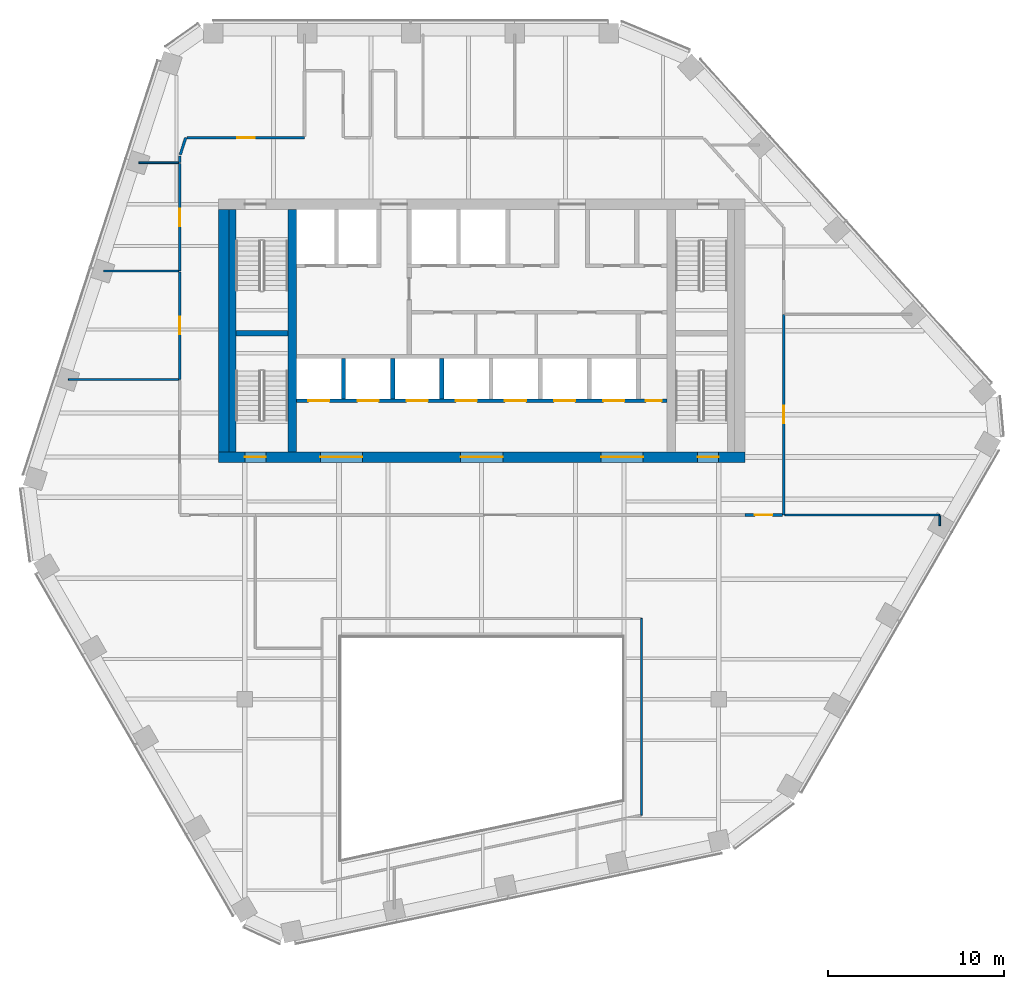
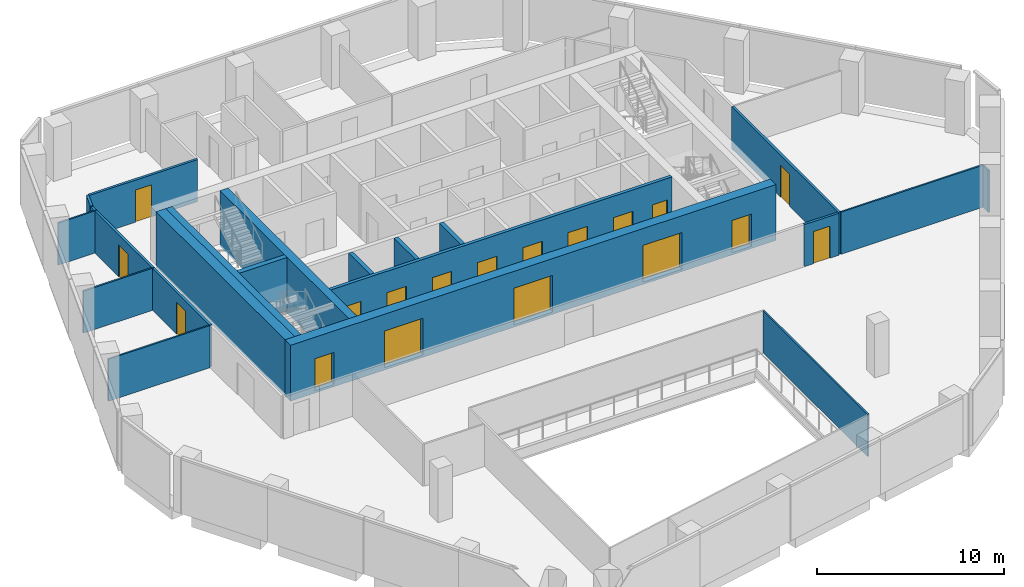
# One storey, part 9 of 15: 22 walls, 18 doors, 18 openings.
"""IFC4 building model written with IfcOpenShell, lengths in metres."""

from ifc_helpers import new_model, si_unit, direction, frame, frame_2d, origin, place, context, subcontext, project, spatial, rectangle, extrude, material, layer, layer_set, type_object, element, fill, save


model = new_model("IFC4")

# Units and contexts
model_context = context("Model", 3, precision=1e-05, world=origin(), true_north=direction((0.0, 1.0)))
body_context = subcontext(model_context, "Body", "Model", "MODEL_VIEW")
ifc_project = project(units=[si_unit("LENGTHUNIT", "METRE"), si_unit("AREAUNIT", "SQUARE_METRE"), si_unit("VOLUMEUNIT", "CUBIC_METRE"), si_unit("PLANEANGLEUNIT", "RADIAN"), si_unit("MASSUNIT", "GRAM", prefix="KILO")], contexts=[model_context])

# Site, building, storey
site_placement = place(None, origin())
site = spatial("IfcSite", under=ifc_project, at=site_placement, CompositionType="ELEMENT")
building_placement = place(site_placement, origin())
building = spatial("IfcBuilding", under=site, at=building_placement, Name="Isthmus Gate Tower", CompositionType="ELEMENT")
storey_placement = place(building_placement, frame((0.0, 0.0, 230.89990234375)))
storey = spatial("IfcBuildingStorey", under=building, at=storey_placement, Name="L58", CompositionType="ELEMENT", Elevation=230.89990234375)

# Wall
ifc_material_1 = material(Name="Fire-rated laminated glass in steel frame", Category="steel")
ifc_layer_1 = layer(ifc_material_1, 0.10009765625)
ifc_layer_set_1 = layer_set([ifc_layer_1], Name="ATRIUM SCREEN GLAZED WALL 100 120 MIN")
wall_type_1 = type_object("IfcWallType", Name="ATRIUM SCREEN GLAZED WALL 100 120 MIN", PredefinedType="PARTITIONING", material=ifc_layer_set_1)
wall_1_placement = place(storey_placement, frame((9.10009765625, -8.89990234375, 0.0), z_axis=(0.0, 0.0, 1.0), x_axis=(0.0, -1.0, 0.0)))
element("IfcWall", 1, at=wall_1_placement, inside=storey, type_object=wall_type_1, Name="L58 atrium screen", PredefinedType="PARTITIONING", context=body_context, shape_type="SweptSolid", body=[
    extrude(rectangle(XDim=11.200927734375, YDim=0.10009765625, at=frame_2d((5.6005859375, 0.0))), origin(), (0.0, 0.0, 1.0), 2.750732421875),
])

# Wall, opening, door
ifc_material_2 = material(Name="Gypsum board on steel studs, fire-rated", Category="steel")
ifc_layer_2 = layer(ifc_material_2, 0.14990234375)
ifc_layer_set_2 = layer_set([ifc_layer_2], Name="CORRIDOR WALL 150 60 MIN")
wall_type_2 = type_object("IfcWallType", Name="CORRIDOR WALL 150 60 MIN", PredefinedType="PARTITIONING", material=ifc_layer_set_2)
wall_2_placement = place(storey_placement, frame((17.199951171875, 8.427978515625, 0.0), z_axis=(0.0, 0.0, 1.0), x_axis=(0.0, -1.0, 0.0)))
wall_2 = element("IfcWall", 2, at=wall_2_placement, inside=storey, type_object=wall_type_2, Name="L58 Corridor Wall 150 60 Min", PredefinedType="PARTITIONING", context=body_context, shape_type="SweptSolid", body=[
    extrude(rectangle(XDim=11.427978515625, YDim=0.14990234375, at=frame_2d((5.7138671875, 0.0))), origin(), (0.0, 0.0, 1.0), 2.750732421875),
])
opening_1_placement = place(wall_2_placement, frame((5.214111328125, 0.0, 0.0)))
opening_1 = element("IfcOpeningElement", 3, at=opening_1_placement, cuts=wall_2, Name="Opening DT-T5B-08", PredefinedType="OPENING", context=body_context, shape_type="SweptSolid", body=[
    extrude(rectangle(XDim=1.0, YDim=2.10009765625, at=frame_2d((0.5, 1.050048828125))), frame((0.0, 0.0849609375, 0.0), z_axis=(0.0, -1.0, 0.0), x_axis=(1.0, 0.0, 0.0)), (0.0, 0.0, 1.0), 0.169921875),
])
ifc_material_3 = material(Name="Solid core timber door leaf, fire-rated", Category="wood")
door_type_1 = type_object("IfcDoorType", Name="FIRE DOOR ROOM 1000 X 2100 60 MIN", OperationType="SINGLE_SWING_LEFT", PredefinedType="DOOR", material=ifc_material_3)
door_1_placement = place(opening_1_placement, origin())
door_1 = element("IfcDoor", 4, at=door_1_placement, inside=storey, type_object=door_type_1, Name="L58 room door", OperationType="SINGLE_SWING_RIGHT", OverallHeight=2.10009765625, OverallWidth=1.0, PredefinedType="DOOR", context=body_context, shape_type="SweptSolid", body=[
    extrude(rectangle(XDim=1.0, YDim=2.10009765625, at=frame_2d((0.5, 1.050048828125))), frame((0.0, 0.02490234375, 0.0), z_axis=(0.0, -1.0, 0.0), x_axis=(1.0, 0.0, 0.0)), (0.0, 0.0, 1.0), 0.050048828125),
])
fill(opening_1, door_1)

wall_3_placement = place(storey_placement, frame((17.125, -3.0, 0.0), z_axis=(0.0, 0.0, 1.0), x_axis=(-1.0, 0.0, 0.0)))
wall_3 = element("IfcWall", 5, at=wall_3_placement, inside=storey, type_object=wall_type_2, Name="L58 Corridor Wall 150 60 Min", PredefinedType="PARTITIONING", context=body_context, shape_type="SweptSolid", body=[
    extrude(rectangle(XDim=2.125, YDim=0.14990234375, at=frame_2d((1.0625, 0.0))), origin(), (0.0, 0.0, 1.0), 2.750732421875),
])
opening_2_placement = place(wall_3_placement, frame((0.5625, 0.0, 0.0)))
opening_2 = element("IfcOpeningElement", 6, at=opening_2_placement, cuts=wall_3, Name="Opening DT-T5B-12", PredefinedType="OPENING", context=body_context, shape_type="SweptSolid", body=[
    extrude(rectangle(XDim=1.0, YDim=2.10009765625, at=frame_2d((0.5, 1.050048828125))), frame((0.0, 0.0849609375, 0.0), z_axis=(0.0, -1.0, 0.0), x_axis=(1.0, 0.0, 0.0)), (0.0, 0.0, 1.0), 0.169921875),
])
door_2_placement = place(opening_2_placement, origin())
door_2 = element("IfcDoor", 7, at=door_2_placement, inside=storey, type_object=door_type_1, Name="L58 room door", OperationType="SINGLE_SWING_RIGHT", OverallHeight=2.10009765625, OverallWidth=1.0, PredefinedType="DOOR", context=body_context, shape_type="SweptSolid", body=[
    extrude(rectangle(XDim=1.0, YDim=2.10009765625, at=frame_2d((0.5, 1.050048828125))), frame((0.0, 0.02490234375, 0.0), z_axis=(0.0, -1.0, 0.0), x_axis=(1.0, 0.0, 0.0)), (0.0, 0.0, 1.0), 0.050048828125),
])
fill(opening_2, door_2)

# Walls
wall_4_placement = place(storey_placement, frame((-17.199951171875, 17.071044921875, 0.0), z_axis=(0.0, 0.0, 1.0), x_axis=(0.0, 1.0, 0.0)))
element("IfcWall", 8, at=wall_4_placement, inside=storey, type_object=wall_type_2, Name="L58 Corridor Wall 150 60 Min", PredefinedType="PARTITIONING", context=body_context, shape_type="SweptSolid", body=[
    extrude(rectangle(XDim=0.388916015625, YDim=0.14990234375, at=frame_2d((0.1943359375, 0.0))), origin(), (0.0, 0.0, 1.0), 2.750732421875),
])
wall_5_placement = place(storey_placement, frame((-17.1767578125, 17.53125, 0.0), z_axis=(0.0, 0.0, 1.0), x_axis=(0.30895599646, 0.951076333556, 0.0)))
element("IfcWall", 9, at=wall_5_placement, inside=storey, type_object=wall_type_2, Name="L58 Corridor Wall 150 60 Min", PredefinedType="PARTITIONING", context=body_context, shape_type="SweptSolid", body=[
    extrude(rectangle(XDim=1.0185546875, YDim=0.14990234375, at=frame_2d((0.50927734375, 0.0))), origin(), (0.0, 0.0, 1.0), 2.750732421875),
])

# Wall, opening, door
wall_6_placement = place(storey_placement, frame((-16.787109375, 18.5, 0.0), z_axis=(0.0, 0.0, 1.0), x_axis=(1.0, 0.0, 0.0)))
wall_6 = element("IfcWall", 10, at=wall_6_placement, inside=storey, type_object=wall_type_2, Name="L58 Corridor Wall 150 60 Min", PredefinedType="PARTITIONING", context=body_context, shape_type="SweptSolid", body=[
    extrude(rectangle(XDim=6.68701171875, YDim=0.14990234375, at=frame_2d((3.343505859375, 0.0))), origin(), (0.0, 0.0, 1.0), 2.750732421875),
])
opening_3_placement = place(wall_6_placement, frame((2.843505859375, 0.0, 0.0)))
opening_3 = element("IfcOpeningElement", 11, at=opening_3_placement, cuts=wall_6, Name="Opening DT-T5B-01", PredefinedType="OPENING", context=body_context, shape_type="SweptSolid", body=[
    extrude(rectangle(XDim=1.0, YDim=2.10009765625, at=frame_2d((0.5, 1.050048828125))), frame((0.0, 0.0849609375, 0.0), z_axis=(0.0, -1.0, 0.0), x_axis=(1.0, 0.0, 0.0)), (0.0, 0.0, 1.0), 0.169921875),
])
door_3_placement = place(opening_3_placement, origin())
door_3 = element("IfcDoor", 12, at=door_3_placement, inside=storey, type_object=door_type_1, Name="L58 room door", OperationType="SINGLE_SWING_RIGHT", OverallHeight=2.10009765625, OverallWidth=1.0, PredefinedType="DOOR", context=body_context, shape_type="SweptSolid", body=[
    extrude(rectangle(XDim=1.0, YDim=2.10009765625, at=frame_2d((0.5, 1.050048828125))), frame((0.0, 0.02490234375, 0.0), z_axis=(0.0, -1.0, 0.0), x_axis=(1.0, 0.0, 0.0)), (0.0, 0.0, 1.0), 0.050048828125),
])
fill(opening_3, door_3)

wall_7_placement = place(storey_placement, frame((-17.199951171875, 10.89697265625, 0.0), z_axis=(0.0, 0.0, 1.0), x_axis=(0.0, 1.0, 0.0)))
wall_7 = element("IfcWall", 13, at=wall_7_placement, inside=storey, type_object=wall_type_2, Name="L58 Corridor Wall 150 60 Min", PredefinedType="PARTITIONING", context=body_context, shape_type="SweptSolid", body=[
    extrude(rectangle(XDim=6.1240234375, YDim=0.14990234375, at=frame_2d((3.06201171875, 0.0))), origin(), (0.0, 0.0, 1.0), 2.750732421875),
])
opening_4_placement = place(wall_7_placement, frame((2.56201171875, 0.0, 0.0)))
opening_4 = element("IfcOpeningElement", 14, at=opening_4_placement, cuts=wall_7, Name="Opening DT-T5B-05", PredefinedType="OPENING", context=body_context, shape_type="SweptSolid", body=[
    extrude(rectangle(XDim=1.0, YDim=2.10009765625, at=frame_2d((0.5, 1.050048828125))), frame((0.0, 0.0849609375, 0.0), z_axis=(0.0, -1.0, 0.0), x_axis=(1.0, 0.0, 0.0)), (0.0, 0.0, 1.0), 0.169921875),
])
door_4_placement = place(opening_4_placement, origin())
door_4 = element("IfcDoor", 15, at=door_4_placement, inside=storey, type_object=door_type_1, Name="L58 room door", OperationType="SINGLE_SWING_RIGHT", OverallHeight=2.10009765625, OverallWidth=1.0, PredefinedType="DOOR", context=body_context, shape_type="SweptSolid", body=[
    extrude(rectangle(XDim=1.0, YDim=2.10009765625, at=frame_2d((0.5, 1.050048828125))), frame((0.0, 0.02490234375, 0.0), z_axis=(0.0, -1.0, 0.0), x_axis=(1.0, 0.0, 0.0)), (0.0, 0.0, 1.0), 0.050048828125),
])
fill(opening_4, door_4)

wall_8_placement = place(storey_placement, frame((-17.199951171875, 4.722900390625, 0.0), z_axis=(0.0, 0.0, 1.0), x_axis=(0.0, 1.0, 0.0)))
wall_8 = element("IfcWall", 16, at=wall_8_placement, inside=storey, type_object=wall_type_2, Name="L58 Corridor Wall 150 60 Min", PredefinedType="PARTITIONING", context=body_context, shape_type="SweptSolid", body=[
    extrude(rectangle(XDim=6.1240234375, YDim=0.14990234375, at=frame_2d((3.06201171875, 0.0))), origin(), (0.0, 0.0, 1.0), 2.750732421875),
])
opening_5_placement = place(wall_8_placement, frame((2.56201171875, 0.0, 0.0)))
opening_5 = element("IfcOpeningElement", 17, at=opening_5_placement, cuts=wall_8, Name="Opening DT-T5B-07", PredefinedType="OPENING", context=body_context, shape_type="SweptSolid", body=[
    extrude(rectangle(XDim=1.0, YDim=2.10009765625, at=frame_2d((0.5, 1.050048828125))), frame((0.0, 0.0849609375, 0.0), z_axis=(0.0, -1.0, 0.0), x_axis=(1.0, 0.0, 0.0)), (0.0, 0.0, 1.0), 0.169921875),
])
door_5_placement = place(opening_5_placement, origin())
door_5 = element("IfcDoor", 18, at=door_5_placement, inside=storey, type_object=door_type_1, Name="L58 room door", OperationType="SINGLE_SWING_RIGHT", OverallHeight=2.10009765625, OverallWidth=1.0, PredefinedType="DOOR", context=body_context, shape_type="SweptSolid", body=[
    extrude(rectangle(XDim=1.0, YDim=2.10009765625, at=frame_2d((0.5, 1.050048828125))), frame((0.0, 0.02490234375, 0.0), z_axis=(0.0, -1.0, 0.0), x_axis=(1.0, 0.0, 0.0)), (0.0, 0.0, 1.0), 0.050048828125),
])
fill(opening_5, door_5)

# Wall
ifc_material_4 = material(Name="Concrete f'c 50 MPa", Category="concrete")
ifc_layer_3 = layer(ifc_material_4, 0.5)
ifc_layer_set_3 = layer_set([ifc_layer_3], Name="RC CORE SPINE WALL 500 F'C 50")
wall_type_3 = type_object("IfcWallType", Name="RC CORE SPINE WALL 500 F'C 50", PredefinedType="SOLIDWALL", material=ifc_layer_set_3)
wall_9_placement = place(storey_placement, frame((-10.800048828125, 0.60009765625, -0.14990234375), z_axis=(0.0, 0.0, 1.0), x_axis=(0.0, 1.0, 0.0)))
element("IfcWall", 19, at=wall_9_placement, inside=storey, type_object=wall_type_3, Name="str-corewall-L58-SPW", PredefinedType="SOLIDWALL", context=body_context, shape_type="SweptSolid", body=[
    extrude(rectangle(XDim=13.7998046875, YDim=0.5, at=frame_2d((6.89990234375, 0.0))), origin(), (0.0, 0.0, 1.0), 3.64990234375),
])

# Wall, openings, doors
ifc_material_5 = material(Name="Concrete f'c 50 MPa", Category="concrete")
ifc_layer_4 = layer(ifc_material_5, 0.60009765625)
ifc_layer_set_4 = layer_set([ifc_layer_4], Name="RC CORE WALL 600 F'C 50")
wall_type_4 = type_object("IfcWallType", Name="RC CORE WALL 600 F'C 50", PredefinedType="SOLIDWALL", material=ifc_layer_set_4)
wall_10_placement = place(storey_placement, frame((-15.0, 0.300048828125, -0.14990234375), z_axis=(0.0, 0.0, 1.0), x_axis=(1.0, 0.0, 0.0)))
wall_10 = element("IfcWall", 20, at=wall_10_placement, inside=storey, type_object=wall_type_4, Name="str-corewall-L58-S", PredefinedType="SOLIDWALL", context=body_context, shape_type="SweptSolid", body=[
    extrude(rectangle(XDim=30.0, YDim=0.60009765625, at=frame_2d((15.0, 0.0))), origin(), (0.0, 0.0, 1.0), 3.64990234375),
])
opening_6_placement = place(wall_10_placement, frame((5.800048828125, 0.0, 0.14990234375)))
opening_6 = element("IfcOpeningElement", 21, at=opening_6_placement, cuts=wall_10, Name="Opening DC-A20-10", PredefinedType="OPENING", context=body_context, shape_type="SweptSolid", body=[
    extrude(rectangle(XDim=2.39990234375, YDim=2.39990234375, at=frame_2d((1.199951171875, 1.199951171875))), frame((0.0, 0.31005859375, 0.0), z_axis=(0.0, -1.0, 0.0), x_axis=(1.0, 0.0, 0.0)), (0.0, 0.0, 1.0), 0.6201171875),
])
opening_7_placement = place(wall_10_placement, frame((13.800048828125, 0.0, 0.14990234375)))
opening_7 = element("IfcOpeningElement", 22, at=opening_7_placement, cuts=wall_10, Name="Opening DC-A20-11", PredefinedType="OPENING", context=body_context, shape_type="SweptSolid", body=[
    extrude(rectangle(XDim=2.39990234375, YDim=2.39990234375, at=frame_2d((1.199951171875, 1.199951171875))), frame((0.0, 0.31005859375, 0.0), z_axis=(0.0, -1.0, 0.0), x_axis=(1.0, 0.0, 0.0)), (0.0, 0.0, 1.0), 0.6201171875),
])
opening_8_placement = place(wall_10_placement, frame((21.800048828125, 0.0, 0.14990234375)))
opening_8 = element("IfcOpeningElement", 23, at=opening_8_placement, cuts=wall_10, Name="Opening DC-A20-12", PredefinedType="OPENING", context=body_context, shape_type="SweptSolid", body=[
    extrude(rectangle(XDim=2.39990234375, YDim=2.39990234375, at=frame_2d((1.199951171875, 1.199951171875))), frame((0.0, 0.31005859375, 0.0), z_axis=(0.0, -1.0, 0.0), x_axis=(1.0, 0.0, 0.0)), (0.0, 0.0, 1.0), 0.6201171875),
])
opening_9_placement = place(wall_10_placement, frame((1.5, 0.0, 0.14990234375)))
opening_9 = element("IfcOpeningElement", 24, at=opening_9_placement, cuts=wall_10, Name="Opening DC-A20-17", PredefinedType="OPENING", context=body_context, shape_type="SweptSolid", body=[
    extrude(rectangle(XDim=1.199951171875, YDim=2.10009765625, at=frame_2d((0.60009765625, 1.050048828125))), frame((0.0, 0.31005859375, 0.0), z_axis=(0.0, -1.0, 0.0), x_axis=(1.0, 0.0, 0.0)), (0.0, 0.0, 1.0), 0.6201171875),
])
opening_10_placement = place(wall_10_placement, frame((27.300048828125, 0.0, 0.14990234375)))
opening_10 = element("IfcOpeningElement", 25, at=opening_10_placement, cuts=wall_10, Name="Opening DC-A20-18", PredefinedType="OPENING", context=body_context, shape_type="SweptSolid", body=[
    extrude(rectangle(XDim=1.199951171875, YDim=2.10009765625, at=frame_2d((0.60009765625, 1.050048828125))), frame((0.0, 0.31005859375, 0.0), z_axis=(0.0, -1.0, 0.0), x_axis=(1.0, 0.0, 0.0)), (0.0, 0.0, 1.0), 0.6201171875),
])
ifc_material_6 = material(Name="Laminated safety glass in steel frame, fire-rated", Category="steel")
door_type_2 = type_object("IfcDoorType", Name="LOBBY ENTRANCE FIRE DOOR 2400 X 2400 60 MIN", OperationType="DOUBLE_DOOR_DOUBLE_SWING", PredefinedType="DOOR", material=ifc_material_6)
door_6_placement = place(opening_6_placement, origin())
door_6 = element("IfcDoor", 26, at=door_6_placement, inside=storey, type_object=door_type_2, Name="Lobby Entrance PS-W", OperationType="DOUBLE_DOOR_DOUBLE_SWING", OverallHeight=2.39990234375, OverallWidth=2.39990234375, PredefinedType="DOOR", context=body_context, shape_type="SweptSolid", body=[
    extrude(rectangle(XDim=2.39990234375, YDim=2.39990234375, at=frame_2d((1.199951171875, 1.199951171875))), frame((0.0, 0.02490234375, 0.0), z_axis=(0.0, -1.0, 0.0), x_axis=(1.0, 0.0, 0.0)), (0.0, 0.0, 1.0), 0.050048828125),
])
fill(opening_6, door_6)
door_7_placement = place(opening_7_placement, origin())
door_7 = element("IfcDoor", 27, at=door_7_placement, inside=storey, type_object=door_type_2, Name="Lobby Entrance PS-C", OperationType="DOUBLE_DOOR_DOUBLE_SWING", OverallHeight=2.39990234375, OverallWidth=2.39990234375, PredefinedType="DOOR", context=body_context, shape_type="SweptSolid", body=[
    extrude(rectangle(XDim=2.39990234375, YDim=2.39990234375, at=frame_2d((1.199951171875, 1.199951171875))), frame((0.0, 0.02490234375, 0.0), z_axis=(0.0, -1.0, 0.0), x_axis=(1.0, 0.0, 0.0)), (0.0, 0.0, 1.0), 0.050048828125),
])
fill(opening_7, door_7)
door_8_placement = place(opening_8_placement, origin())
door_8 = element("IfcDoor", 28, at=door_8_placement, inside=storey, type_object=door_type_2, Name="Lobby Entrance PS-E", OperationType="DOUBLE_DOOR_DOUBLE_SWING", OverallHeight=2.39990234375, OverallWidth=2.39990234375, PredefinedType="DOOR", context=body_context, shape_type="SweptSolid", body=[
    extrude(rectangle(XDim=2.39990234375, YDim=2.39990234375, at=frame_2d((1.199951171875, 1.199951171875))), frame((0.0, 0.02490234375, 0.0), z_axis=(0.0, -1.0, 0.0), x_axis=(1.0, 0.0, 0.0)), (0.0, 0.0, 1.0), 0.050048828125),
])
fill(opening_8, door_8)
ifc_material_7 = material(Name="Steel door leaf, fire-rated", Category="steel")
door_type_3 = type_object("IfcDoorType", Name="STAIR FIRE DOOR 1200 X 2100 90 MIN", OperationType="SINGLE_SWING_LEFT", PredefinedType="DOOR", material=ifc_material_7)
door_9_placement = place(opening_9_placement, origin())
door_9 = element("IfcDoor", 29, at=door_9_placement, inside=storey, type_object=door_type_3, Name="Exit Stair 7 Door", OperationType="SINGLE_SWING_LEFT", OverallHeight=2.10009765625, OverallWidth=1.199951171875, PredefinedType="DOOR", context=body_context, shape_type="SweptSolid", body=[
    extrude(rectangle(XDim=1.199951171875, YDim=2.10009765625, at=frame_2d((0.60009765625, 1.050048828125))), frame((0.0, 0.02490234375, 0.0), z_axis=(0.0, -1.0, 0.0), x_axis=(1.0, 0.0, 0.0)), (0.0, 0.0, 1.0), 0.050048828125),
])
fill(opening_9, door_9)
door_10_placement = place(opening_10_placement, origin())
door_10 = element("IfcDoor", 30, at=door_10_placement, inside=storey, type_object=door_type_3, Name="Exit Stair 8 Door", OperationType="SINGLE_SWING_RIGHT", OverallHeight=2.10009765625, OverallWidth=1.199951171875, PredefinedType="DOOR", context=body_context, shape_type="SweptSolid", body=[
    extrude(rectangle(XDim=1.199951171875, YDim=2.10009765625, at=frame_2d((0.60009765625, 1.050048828125))), frame((0.0, 0.02490234375, 0.0), z_axis=(0.0, -1.0, 0.0), x_axis=(1.0, 0.0, 0.0)), (0.0, 0.0, 1.0), 0.050048828125),
])
fill(opening_10, door_10)

# Walls
wall_11_placement = place(storey_placement, frame((-14.699951171875, 0.60009765625, -0.14990234375), z_axis=(0.0, 0.0, 1.0), x_axis=(0.0, 1.0, 0.0)))
element("IfcWall", 31, at=wall_11_placement, inside=storey, type_object=wall_type_4, Name="str-corewall-L58-W", PredefinedType="SOLIDWALL", context=body_context, shape_type="SweptSolid", body=[
    extrude(rectangle(XDim=13.7998046875, YDim=0.60009765625, at=frame_2d((6.89990234375, 0.0))), origin(), (0.0, 0.0, 1.0), 3.64990234375),
])
ifc_material_8 = material(Name="Gypsum board on steel studs, fire-rated", Category="steel")
ifc_layer_5 = layer(ifc_material_8, 0.10009765625)
ifc_layer_set_5 = layer_set([ifc_layer_5], Name="ROOM PARTITION 100 30 MIN")
wall_type_5 = type_object("IfcWallType", Name="ROOM PARTITION 100 30 MIN", PredefinedType="PARTITIONING", material=ifc_layer_set_5)
wall_12_placement = place(storey_placement, frame((-19.534912109375, 17.071044921875, 0.0), z_axis=(0.0, 0.0, 1.0), x_axis=(1.0, 0.0, 0.0)))
element("IfcWall", 32, at=wall_12_placement, inside=storey, type_object=wall_type_5, Name="L58 Room Partition 100 30 Min", PredefinedType="PARTITIONING", context=body_context, shape_type="SweptSolid", body=[
    extrude(rectangle(XDim=2.260009765625, YDim=0.10009765625, at=frame_2d((1.1298828125, 0.0))), origin(), (0.0, 0.0, 1.0), 2.750732421875),
])
wall_13_placement = place(storey_placement, frame((-21.541015625, 10.89697265625, 0.0), z_axis=(0.0, 0.0, 1.0), x_axis=(1.0, 0.0, 0.0)))
element("IfcWall", 33, at=wall_13_placement, inside=storey, type_object=wall_type_5, Name="L58 Room Partition 100 30 Min", PredefinedType="PARTITIONING", context=body_context, shape_type="SweptSolid", body=[
    extrude(rectangle(XDim=4.26611328125, YDim=0.10009765625, at=frame_2d((2.133056640625, 0.0))), origin(), (0.0, 0.0, 1.0), 2.750732421875),
])
wall_14_placement = place(storey_placement, frame((-23.547119140625, 4.722900390625, 0.0), z_axis=(0.0, 0.0, 1.0), x_axis=(1.0, 0.0, 0.0)))
element("IfcWall", 34, at=wall_14_placement, inside=storey, type_object=wall_type_5, Name="L58 Room Partition 100 30 Min", PredefinedType="PARTITIONING", context=body_context, shape_type="SweptSolid", body=[
    extrude(rectangle(XDim=6.272216796875, YDim=0.10009765625, at=frame_2d((3.13623046875, 0.0))), origin(), (0.0, 0.0, 1.0), 2.750732421875),
])
wall_15_placement = place(storey_placement, frame((17.27490234375, -3.0, 0.0), z_axis=(0.0, 0.0, 1.0), x_axis=(0.999999975449, 0.000221588228, 0.0)))
element("IfcWall", 35, at=wall_15_placement, inside=storey, type_object=wall_type_5, Name="L58 Room Partition 100 30 Min", PredefinedType="PARTITIONING", context=body_context, shape_type="SweptSolid", body=[
    extrude(rectangle(XDim=8.814208984375, YDim=0.10009765625, at=frame_2d((4.4072265625, 0.0))), origin(), (0.0, 0.0, 1.0), 2.750732421875),
])
wall_16_placement = place(storey_placement, frame((26.089111328125, -3.613037109375, 0.0), z_axis=(0.0, 0.0, 1.0), x_axis=(0.0, 1.0, 0.0)))
element("IfcWall", 36, at=wall_16_placement, inside=storey, type_object=wall_type_5, Name="L58 Room Partition 100 30 Min", PredefinedType="PARTITIONING", context=body_context, shape_type="SweptSolid", body=[
    extrude(rectangle(XDim=0.56494140625, YDim=0.10009765625, at=frame_2d((0.282470703125, 0.0))), origin(), (0.0, 0.0, 1.0), 2.750732421875),
])

# Wall, openings, doors
ifc_material_9 = material(Name="Fire-rated blockwork masonry, 15 MPa", Category="masonry")
ifc_layer_6 = layer(ifc_material_9, 0.199951171875)
ifc_layer_set_6 = layer_set([ifc_layer_6], Name="SHAFT FRONT WALL 200 120 MIN")
wall_type_6 = type_object("IfcWallType", Name="SHAFT FRONT WALL 200 120 MIN", PredefinedType="PARTITIONING", material=ifc_layer_set_6)
wall_17_placement = place(storey_placement, frame((-10.550048828125, 3.5, 0.0), z_axis=(0.0, 0.0, 1.0), x_axis=(1.0, 0.0, 0.0)))
wall_17 = element("IfcWall", 37, at=wall_17_placement, inside=storey, type_object=wall_type_6, Name="L58 SHAFT FRONT WALL 200 120 MIN", PredefinedType="PARTITIONING", context=body_context, shape_type="SweptSolid", body=[
    extrude(rectangle(XDim=21.10009765625, YDim=0.199951171875, at=frame_2d((10.550048828125, 0.0))), origin(), (0.0, 0.0, 1.0), 3.5),
])
opening_11_placement = place(wall_17_placement, frame((0.675048828125, 0.0, 0.0)))
opening_11 = element("IfcOpeningElement", 38, at=opening_11_placement, cuts=wall_17, Name="Opening LD-LC1", PredefinedType="OPENING", context=body_context, shape_type="SweptSolid", body=[
    extrude(rectangle(XDim=1.199951171875, YDim=2.10009765625, at=frame_2d((0.60009765625, 1.050048828125))), frame((0.0, 0.10986328125, 0.0), z_axis=(0.0, -1.0, 0.0), x_axis=(1.0, 0.0, 0.0)), (0.0, 0.0, 1.0), 0.219970703125),
])
opening_12_placement = place(wall_17_placement, frame((3.47509765625, 0.0, 0.0)))
opening_12 = element("IfcOpeningElement", 39, at=opening_12_placement, cuts=wall_17, Name="Opening LD-LC2", PredefinedType="OPENING", context=body_context, shape_type="SweptSolid", body=[
    extrude(rectangle(XDim=1.199951171875, YDim=2.10009765625, at=frame_2d((0.60009765625, 1.050048828125))), frame((0.0, 0.10986328125, 0.0), z_axis=(0.0, -1.0, 0.0), x_axis=(1.0, 0.0, 0.0)), (0.0, 0.0, 1.0), 0.219970703125),
])
opening_13_placement = place(wall_17_placement, frame((6.27490234375, 0.0, 0.0)))
opening_13 = element("IfcOpeningElement", 40, at=opening_13_placement, cuts=wall_17, Name="Opening LD-LC3", PredefinedType="OPENING", context=body_context, shape_type="SweptSolid", body=[
    extrude(rectangle(XDim=1.199951171875, YDim=2.10009765625, at=frame_2d((0.60009765625, 1.050048828125))), frame((0.0, 0.10986328125, 0.0), z_axis=(0.0, -1.0, 0.0), x_axis=(1.0, 0.0, 0.0)), (0.0, 0.0, 1.0), 0.219970703125),
])
opening_14_placement = place(wall_17_placement, frame((9.074951171875, 0.0, 0.0)))
opening_14 = element("IfcOpeningElement", 41, at=opening_14_placement, cuts=wall_17, Name="Opening LD-LC4", PredefinedType="OPENING", context=body_context, shape_type="SweptSolid", body=[
    extrude(rectangle(XDim=1.199951171875, YDim=2.10009765625, at=frame_2d((0.60009765625, 1.050048828125))), frame((0.0, 0.10986328125, 0.0), z_axis=(0.0, -1.0, 0.0), x_axis=(1.0, 0.0, 0.0)), (0.0, 0.0, 1.0), 0.219970703125),
])
opening_15_placement = place(wall_17_placement, frame((11.875, 0.0, 0.0)))
opening_15 = element("IfcOpeningElement", 42, at=opening_15_placement, cuts=wall_17, Name="Opening LD-LC5", PredefinedType="OPENING", context=body_context, shape_type="SweptSolid", body=[
    extrude(rectangle(XDim=1.199951171875, YDim=2.10009765625, at=frame_2d((0.60009765625, 1.050048828125))), frame((0.0, 0.10986328125, 0.0), z_axis=(0.0, -1.0, 0.0), x_axis=(1.0, 0.0, 0.0)), (0.0, 0.0, 1.0), 0.219970703125),
])
opening_16_placement = place(wall_17_placement, frame((14.675048828125, 0.0, 0.0)))
opening_16 = element("IfcOpeningElement", 43, at=opening_16_placement, cuts=wall_17, Name="Opening LD-LC6", PredefinedType="OPENING", context=body_context, shape_type="SweptSolid", body=[
    extrude(rectangle(XDim=1.199951171875, YDim=2.10009765625, at=frame_2d((0.60009765625, 1.050048828125))), frame((0.0, 0.10986328125, 0.0), z_axis=(0.0, -1.0, 0.0), x_axis=(1.0, 0.0, 0.0)), (0.0, 0.0, 1.0), 0.219970703125),
])
opening_17_placement = place(wall_17_placement, frame((17.47509765625, 0.0, 0.0)))
opening_17 = element("IfcOpeningElement", 44, at=opening_17_placement, cuts=wall_17, Name="Opening LD-LC7", PredefinedType="OPENING", context=body_context, shape_type="SweptSolid", body=[
    extrude(rectangle(XDim=1.199951171875, YDim=2.10009765625, at=frame_2d((0.60009765625, 1.050048828125))), frame((0.0, 0.10986328125, 0.0), z_axis=(0.0, -1.0, 0.0), x_axis=(1.0, 0.0, 0.0)), (0.0, 0.0, 1.0), 0.219970703125),
])
opening_18_placement = place(wall_17_placement, frame((19.89990234375, 0.0, 0.0)))
opening_18 = element("IfcOpeningElement", 45, at=opening_18_placement, cuts=wall_17, Name="Opening DC-A20-02", PredefinedType="OPENING", context=body_context, shape_type="SweptSolid", body=[
    extrude(rectangle(XDim=0.89990234375, YDim=2.10009765625, at=frame_2d((0.449951171875, 1.050048828125))), frame((0.0, 0.10986328125, 0.0), z_axis=(0.0, -1.0, 0.0), x_axis=(1.0, 0.0, 0.0)), (0.0, 0.0, 1.0), 0.219970703125),
])
ifc_material_10 = material(Name="Stainless steel sliding leaf", Category="steel")
door_type_4 = type_object("IfcDoorType", Name="LIFT LANDING FIRE DOOR 1200 X 2100 90 MIN", OperationType="DOUBLE_DOOR_SLIDING", PredefinedType="DOOR", material=ifc_material_10)
door_11_placement = place(opening_11_placement, origin())
door_11 = element("IfcDoor", 46, at=door_11_placement, inside=storey, type_object=door_type_4, Name="Lift Landing Door LC1", OperationType="DOUBLE_DOOR_SLIDING", OverallHeight=2.10009765625, OverallWidth=1.199951171875, PredefinedType="DOOR", context=body_context, shape_type="SweptSolid", body=[
    extrude(rectangle(XDim=1.199951171875, YDim=2.10009765625, at=frame_2d((0.60009765625, 1.050048828125))), frame((0.0, 0.02490234375, 0.0), z_axis=(0.0, -1.0, 0.0), x_axis=(1.0, 0.0, 0.0)), (0.0, 0.0, 1.0), 0.050048828125),
])
fill(opening_11, door_11)
door_12_placement = place(opening_12_placement, origin())
door_12 = element("IfcDoor", 47, at=door_12_placement, inside=storey, type_object=door_type_4, Name="Lift Landing Door LC2", OperationType="DOUBLE_DOOR_SLIDING", OverallHeight=2.10009765625, OverallWidth=1.199951171875, PredefinedType="DOOR", context=body_context, shape_type="SweptSolid", body=[
    extrude(rectangle(XDim=1.199951171875, YDim=2.10009765625, at=frame_2d((0.60009765625, 1.050048828125))), frame((0.0, 0.02490234375, 0.0), z_axis=(0.0, -1.0, 0.0), x_axis=(1.0, 0.0, 0.0)), (0.0, 0.0, 1.0), 0.050048828125),
])
fill(opening_12, door_12)
door_13_placement = place(opening_13_placement, origin())
door_13 = element("IfcDoor", 48, at=door_13_placement, inside=storey, type_object=door_type_4, Name="Lift Landing Door LC3", OperationType="DOUBLE_DOOR_SLIDING", OverallHeight=2.10009765625, OverallWidth=1.199951171875, PredefinedType="DOOR", context=body_context, shape_type="SweptSolid", body=[
    extrude(rectangle(XDim=1.199951171875, YDim=2.10009765625, at=frame_2d((0.60009765625, 1.050048828125))), frame((0.0, 0.02490234375, 0.0), z_axis=(0.0, -1.0, 0.0), x_axis=(1.0, 0.0, 0.0)), (0.0, 0.0, 1.0), 0.050048828125),
])
fill(opening_13, door_13)
door_14_placement = place(opening_14_placement, origin())
door_14 = element("IfcDoor", 49, at=door_14_placement, inside=storey, type_object=door_type_4, Name="Lift Landing Door LC4", OperationType="DOUBLE_DOOR_SLIDING", OverallHeight=2.10009765625, OverallWidth=1.199951171875, PredefinedType="DOOR", context=body_context, shape_type="SweptSolid", body=[
    extrude(rectangle(XDim=1.199951171875, YDim=2.10009765625, at=frame_2d((0.60009765625, 1.050048828125))), frame((0.0, 0.02490234375, 0.0), z_axis=(0.0, -1.0, 0.0), x_axis=(1.0, 0.0, 0.0)), (0.0, 0.0, 1.0), 0.050048828125),
])
fill(opening_14, door_14)
door_15_placement = place(opening_15_placement, origin())
door_15 = element("IfcDoor", 50, at=door_15_placement, inside=storey, type_object=door_type_4, Name="Lift Landing Door LC5", OperationType="DOUBLE_DOOR_SLIDING", OverallHeight=2.10009765625, OverallWidth=1.199951171875, PredefinedType="DOOR", context=body_context, shape_type="SweptSolid", body=[
    extrude(rectangle(XDim=1.199951171875, YDim=2.10009765625, at=frame_2d((0.60009765625, 1.050048828125))), frame((0.0, 0.02490234375, 0.0), z_axis=(0.0, -1.0, 0.0), x_axis=(1.0, 0.0, 0.0)), (0.0, 0.0, 1.0), 0.050048828125),
])
fill(opening_15, door_15)
door_16_placement = place(opening_16_placement, origin())
door_16 = element("IfcDoor", 51, at=door_16_placement, inside=storey, type_object=door_type_4, Name="Lift Landing Door LC6", OperationType="DOUBLE_DOOR_SLIDING", OverallHeight=2.10009765625, OverallWidth=1.199951171875, PredefinedType="DOOR", context=body_context, shape_type="SweptSolid", body=[
    extrude(rectangle(XDim=1.199951171875, YDim=2.10009765625, at=frame_2d((0.60009765625, 1.050048828125))), frame((0.0, 0.02490234375, 0.0), z_axis=(0.0, -1.0, 0.0), x_axis=(1.0, 0.0, 0.0)), (0.0, 0.0, 1.0), 0.050048828125),
])
fill(opening_16, door_16)
door_17_placement = place(opening_17_placement, origin())
door_17 = element("IfcDoor", 52, at=door_17_placement, inside=storey, type_object=door_type_4, Name="Lift Landing Door LC7", OperationType="DOUBLE_DOOR_SLIDING", OverallHeight=2.10009765625, OverallWidth=1.199951171875, PredefinedType="DOOR", context=body_context, shape_type="SweptSolid", body=[
    extrude(rectangle(XDim=1.199951171875, YDim=2.10009765625, at=frame_2d((0.60009765625, 1.050048828125))), frame((0.0, 0.02490234375, 0.0), z_axis=(0.0, -1.0, 0.0), x_axis=(1.0, 0.0, 0.0)), (0.0, 0.0, 1.0), 0.050048828125),
])
fill(opening_17, door_17)
ifc_material_11 = material(Name="Steel door leaf, fire-rated", Category="steel")
door_type_5 = type_object("IfcDoorType", Name="RISER FIRE DOOR 900 X 2100 90 MIN", OperationType="SINGLE_SWING_LEFT", PredefinedType="DOOR", material=ifc_material_11)
door_18_placement = place(opening_18_placement, origin())
door_18 = element("IfcDoor", 53, at=door_18_placement, inside=storey, type_object=door_type_5, Name="Riser Door", OperationType="SINGLE_SWING_RIGHT", OverallHeight=2.10009765625, OverallWidth=0.89990234375, PredefinedType="DOOR", context=body_context, shape_type="SweptSolid", body=[
    extrude(rectangle(XDim=0.89990234375, YDim=2.10009765625, at=frame_2d((0.449951171875, 1.050048828125))), frame((0.0, 0.02490234375, 0.0), z_axis=(0.0, -1.0, 0.0), x_axis=(1.0, 0.0, 0.0)), (0.0, 0.0, 1.0), 0.050048828125),
])
fill(opening_18, door_18)

# Walls
ifc_material_12 = material(Name="Fire-rated blockwork masonry, 15 MPa", Category="masonry")
ifc_layer_7 = layer(ifc_material_12, 0.25)
ifc_layer_set_7 = layer_set([ifc_layer_7], Name="SHAFT WALL 250 120 MIN")
wall_type_7 = type_object("IfcWallType", Name="SHAFT WALL 250 120 MIN", PredefinedType="PARTITIONING", material=ifc_layer_set_7)
for number, where, z_axis, x_axis, name in (
    (54, (-7.875, 3.60009765625, 0.0), (0.0, 0.0, 1.0), (0.0, 1.0, 0.0), "L58 SHAFT WALL 250 120 MIN"),
    (55, (-5.074951171875, 3.60009765625, 0.0), (0.0, 0.0, 1.0), (0.0, 1.0, 0.0), "L58 SHAFT WALL 250 120 MIN"),
    (56, (-2.27490234375, 3.60009765625, 0.0), (0.0, 0.0, 1.0), (0.0, 1.0, 0.0), "L58 SHAFT WALL 250 120 MIN"),
):
    element("IfcWall", number, at=place(storey_placement, frame(where, z_axis=z_axis, x_axis=x_axis)), inside=storey, type_object=wall_type_7, Name=name, PredefinedType="PARTITIONING", context=body_context, shape_type="SweptSolid", body=[
        extrude(rectangle(XDim=2.2998046875, YDim=0.25, at=frame_2d((1.14990234375, 0.0))), origin(), (0.0, 0.0, 1.0), 3.5),
    ])
ifc_material_13 = material(Name="Concrete f'c 40 MPa", Category="concrete")
ifc_layer_8 = layer(ifc_material_13, 0.300048828125)
ifc_layer_set_8 = layer_set([ifc_layer_8], Name="STAIR ENCLOSURE WALL 300 180 MIN")
wall_type_8 = type_object("IfcWallType", Name="STAIR ENCLOSURE WALL 300 180 MIN", PredefinedType="SOLIDWALL", material=ifc_layer_set_8)
wall_18_placement = place(storey_placement, frame((-14.0, 7.35009765625, 0.0), z_axis=(0.0, 0.0, 1.0), x_axis=(1.0, 0.0, 0.0)))
element("IfcWall", 57, at=wall_18_placement, inside=storey, type_object=wall_type_8, Name="L58 STAIR ENCLOSURE WALL 300 180 MIN", PredefinedType="SOLIDWALL", context=body_context, shape_type="SweptSolid", body=[
    extrude(rectangle(XDim=2.949951171875, YDim=0.300048828125, at=frame_2d((1.47509765625, 0.0))), origin(), (0.0, 0.0, 1.0), 3.5),
])
ifc_material_14 = material(Name="Concrete f'c 40 MPa", Category="concrete")
ifc_layer_9 = layer(ifc_material_14, 0.39990234375)
ifc_layer_set_9 = layer_set([ifc_layer_9], Name="STAIR ENCLOSURE WALL 400 180 MIN")
wall_type_9 = type_object("IfcWallType", Name="STAIR ENCLOSURE WALL 400 180 MIN", PredefinedType="SOLIDWALL", material=ifc_layer_set_9)
wall_19_placement = place(storey_placement, frame((-14.199951171875, 0.60009765625, 0.0), z_axis=(0.0, 0.0, 1.0), x_axis=(0.0, 1.0, 0.0)))
element("IfcWall", 58, at=wall_19_placement, inside=storey, type_object=wall_type_9, Name="L58 STAIR ENCLOSURE WALL 400 180 MIN", PredefinedType="SOLIDWALL", context=body_context, shape_type="SweptSolid", body=[
    extrude(rectangle(XDim=13.7998046875, YDim=0.39990234375, at=frame_2d((6.89990234375, 0.0))), origin(), (0.0, 0.0, 1.0), 3.5),
])

save(model, "model.ifc")
